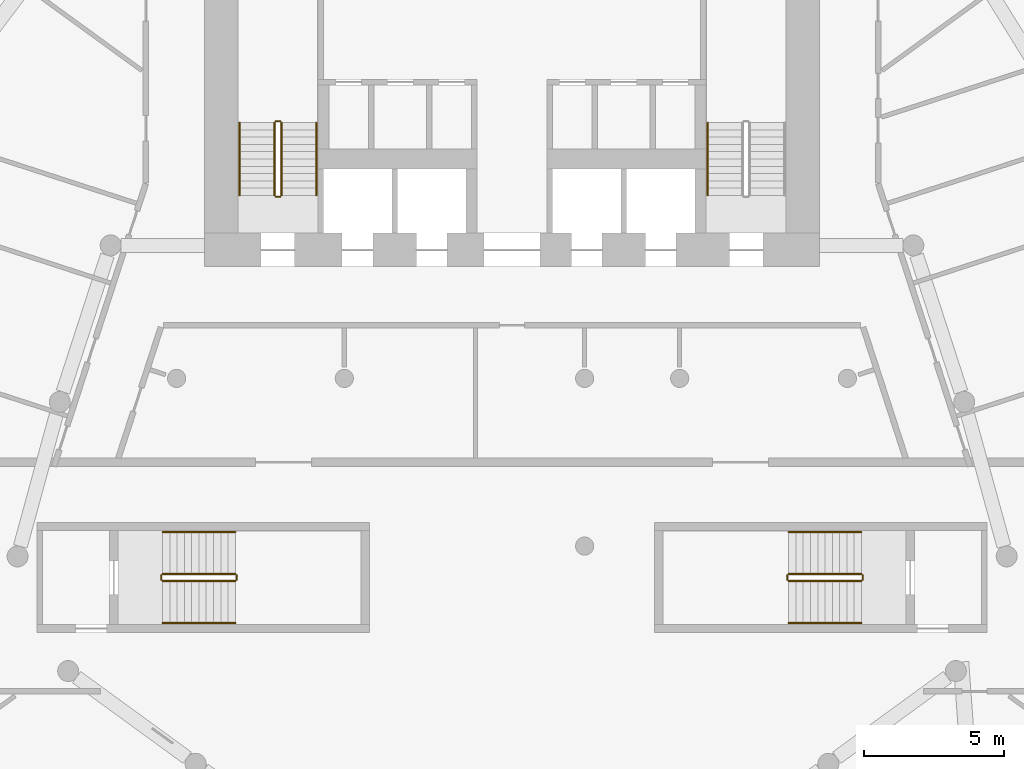
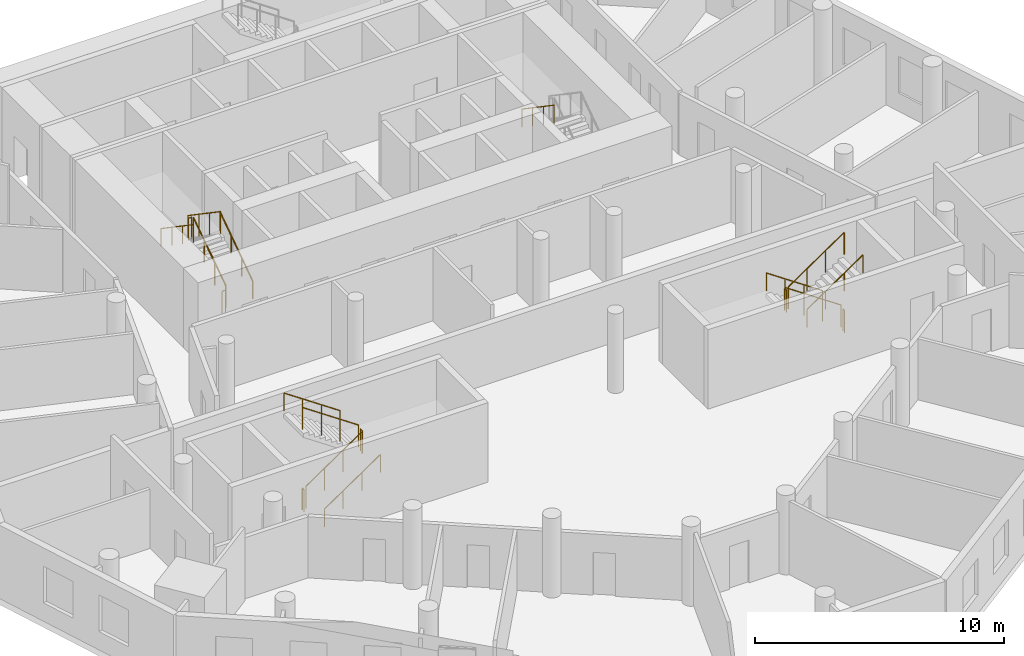
# One storey, part 8 of 9: 19 railings.
"""IFC4 building model written with IfcOpenShell, lengths in metres."""

from ifc_helpers import new_model, si_unit, direction, frame, origin, origin_2d, place, context, subcontext, project, spatial, circle, extrude, material, type_object, element, save


model = new_model("IFC4")

# Units and contexts
model_context = context("Model", 3, precision=1e-05, world=origin(), true_north=direction((0.0, 1.0)))
body_context = subcontext(model_context, "Body", "Model", "MODEL_VIEW")
ifc_project = project(units=[si_unit("LENGTHUNIT", "METRE"), si_unit("AREAUNIT", "SQUARE_METRE"), si_unit("VOLUMEUNIT", "CUBIC_METRE"), si_unit("PLANEANGLEUNIT", "RADIAN"), si_unit("MASSUNIT", "GRAM", prefix="KILO")], contexts=[model_context])

# Site, building, storey
site_placement = place(None, origin())
site = spatial("IfcSite", under=ifc_project, at=site_placement, CompositionType="ELEMENT")
building_placement = place(site_placement, origin())
building = spatial("IfcBuilding", under=site, at=building_placement, Name="White Candle Pilgrim Tower", CompositionType="ELEMENT")
storey_placement = place(building_placement, frame((0.0, 0.0, 62.39990234375)))
storey = spatial("IfcBuildingStorey", under=building, at=storey_placement, Name="L12", CompositionType="ELEMENT", Elevation=62.39990234375)

# Railings
ifc_material = material(Name="Stainless steel", Category="steel")
railing_type_1 = type_object("IfcRailingType", Name="Stair guard stainless steel 1100 mm", PredefinedType="GUARDRAIL", material=ifc_material)
railing_1_placement = place(storey_placement, frame((61.75, 73.550048828125, 0.177490234375)))
element("IfcRailing", 1, at=railing_1_placement, inside=storey, type_object=railing_type_1, Name="L12 ST1 stair guard 1", PredefinedType="GUARDRAIL", context=body_context, shape_type="SweptSolid", body=[
    extrude(circle(Radius=0.02392578125, at=origin_2d()), frame((0.0, 0.0, 1.076171875), z_axis=(0.0, 0.826215852431, 0.563353676824), x_axis=(-1.0, 0.0, 0.0)), (0.0, 0.0, 1.0), 3.146728515625),
    extrude(circle(Radius=0.02099609375, at=origin_2d()), origin(), (0.0, 0.0, 1.0), 1.052001953125),
    extrude(circle(Radius=0.02099609375, at=origin_2d()), frame((0.0, 0.86669921875, 0.5908203125)), (0.0, 0.0, 1.0), 1.052001953125),
    extrude(circle(Radius=0.02099609375, at=origin_2d()), frame((0.0, 1.733154296875, 1.181884765625)), (0.0, 0.0, 1.0), 1.052001953125),
    extrude(circle(Radius=0.02099609375, at=origin_2d()), frame((0.0, 2.599853515625, 1.772705078125)), (0.0, 0.0, 1.0), 1.052001953125),
])
railing_2_placement = place(storey_placement, frame((61.699951171875, 76.199951171875, 1.9501953125)))
element("IfcRailing", 2, at=railing_2_placement, inside=storey, type_object=railing_type_1, Name="L12 ST1 stair guard 2", PredefinedType="GUARDRAIL", context=body_context, shape_type="SweptSolid", body=[
    extrude(circle(Radius=0.02392578125, at=origin_2d()), frame((0.0, 0.0, 1.076171875), z_axis=(-1.0, 0.0, 0.0), x_axis=(0.0, -1.0, 0.0)), (0.0, 0.0, 1.0), 0.14990234375),
    extrude(circle(Radius=0.02099609375, at=origin_2d()), origin(), (0.0, 0.0, 1.0), 1.052001953125),
    extrude(circle(Radius=0.02099609375, at=origin_2d()), frame((-0.14990234375, 0.0, 0.0)), (0.0, 0.0, 1.0), 1.052001953125),
])
railing_3_placement = place(storey_placement, frame((61.5, 76.14990234375, 2.12744140625)))
element("IfcRailing", 3, at=railing_3_placement, inside=storey, type_object=railing_type_1, Name="L12 ST1 stair guard 3", PredefinedType="GUARDRAIL", context=body_context, shape_type="SweptSolid", body=[
    extrude(circle(Radius=0.02392578125, at=origin_2d()), frame((0.0, 0.0, 1.076171875), z_axis=(0.0, -0.826215852431, 0.563353676824), x_axis=(1.0, 0.0, 0.0)), (0.0, 0.0, 1.0), 3.146728515625),
    extrude(circle(Radius=0.02099609375, at=origin_2d()), origin(), (0.0, 0.0, 1.0), 1.052001953125),
    extrude(circle(Radius=0.02099609375, at=origin_2d()), frame((0.0, -0.86669921875, 0.5908203125)), (0.0, 0.0, 1.0), 1.052001953125),
    extrude(circle(Radius=0.02099609375, at=origin_2d()), frame((0.0, -1.733154296875, 1.181884765625)), (0.0, 0.0, 1.0), 1.052001953125),
    extrude(circle(Radius=0.02099609375, at=origin_2d()), frame((0.0, -2.599853515625, 1.772705078125)), (0.0, 0.0, 1.0), 1.052001953125),
])
railing_4_placement = place(storey_placement, frame((61.699951171875, 73.5, 0.0)))
element("IfcRailing", 4, at=railing_4_placement, inside=storey, type_object=railing_type_1, Name="L12 ST1 stair guard 4", PredefinedType="GUARDRAIL", context=body_context, shape_type="SweptSolid", body=[
    extrude(circle(Radius=0.02392578125, at=origin_2d()), frame((0.0, 0.0, 1.076171875), z_axis=(-1.0, 0.0, 0.0), x_axis=(0.0, -1.0, 0.0)), (0.0, 0.0, 1.0), 0.14990234375),
    extrude(circle(Radius=0.02099609375, at=origin_2d()), origin(), (0.0, 0.0, 1.0), 1.052001953125),
    extrude(circle(Radius=0.02099609375, at=origin_2d()), frame((-0.14990234375, 0.0, 0.0)), (0.0, 0.0, 1.0), 1.052001953125),
])
railing_5_placement = place(storey_placement, frame((82.5, 60.0, 0.177490234375)))
element("IfcRailing", 5, at=railing_5_placement, inside=storey, type_object=railing_type_1, Name="L12 ST4 stair guard 1", PredefinedType="GUARDRAIL", context=body_context, shape_type="SweptSolid", body=[
    extrude(circle(Radius=0.02392578125, at=origin_2d()), frame((0.0, 0.0, 1.076171875), z_axis=(-0.826240473404, 0.0, 0.563317565952), x_axis=(0.0, -1.0, 0.0)), (0.0, 0.0, 1.0), 3.14697265625),
    extrude(circle(Radius=0.02099609375, at=origin_2d()), origin(), (0.0, 0.0, 1.0), 1.052001953125),
    extrude(circle(Radius=0.02099609375, at=origin_2d()), frame((-0.86669921875, 0.0, 0.5908203125)), (0.0, 0.0, 1.0), 1.052001953125),
    extrude(circle(Radius=0.02099609375, at=origin_2d()), frame((-1.7333984375, 0.0, 1.181884765625)), (0.0, 0.0, 1.0), 1.052001953125),
    extrude(circle(Radius=0.02099609375, at=origin_2d()), frame((-2.60009765625, 0.0, 1.772705078125)), (0.0, 0.0, 1.0), 1.052001953125),
])
railing_6_placement = place(storey_placement, frame((79.85009765625, 59.949951171875, 1.9501953125)))
element("IfcRailing", 6, at=railing_6_placement, inside=storey, type_object=railing_type_1, Name="L12 ST4 stair guard 2", PredefinedType="GUARDRAIL", context=body_context, shape_type="SweptSolid", body=[
    extrude(circle(Radius=0.02392578125, at=origin_2d()), frame((0.0, 0.0, 1.076171875), z_axis=(0.0, -1.0, 0.0), x_axis=(1.0, 0.0, 0.0)), (0.0, 0.0, 1.0), 0.14990234375),
    extrude(circle(Radius=0.02099609375, at=origin_2d()), origin(), (0.0, 0.0, 1.0), 1.052001953125),
    extrude(circle(Radius=0.02099609375, at=origin_2d()), frame((0.0, -0.14990234375, 0.0)), (0.0, 0.0, 1.0), 1.052001953125),
])
railing_7_placement = place(storey_placement, frame((79.89990234375, 59.75, 2.12744140625)))
element("IfcRailing", 7, at=railing_7_placement, inside=storey, type_object=railing_type_1, Name="L12 ST4 stair guard 3", PredefinedType="GUARDRAIL", context=body_context, shape_type="SweptSolid", body=[
    extrude(circle(Radius=0.02392578125, at=origin_2d()), frame((0.0, 0.0, 1.076171875), z_axis=(0.826240473404, 0.0, 0.563317565952), x_axis=(0.0, 1.0, 0.0)), (0.0, 0.0, 1.0), 3.14697265625),
    extrude(circle(Radius=0.02099609375, at=origin_2d()), origin(), (0.0, 0.0, 1.0), 1.052001953125),
    extrude(circle(Radius=0.02099609375, at=origin_2d()), frame((0.86669921875, 0.0, 0.5908203125)), (0.0, 0.0, 1.0), 1.052001953125),
    extrude(circle(Radius=0.02099609375, at=origin_2d()), frame((1.7333984375, 0.0, 1.181884765625)), (0.0, 0.0, 1.0), 1.052001953125),
    extrude(circle(Radius=0.02099609375, at=origin_2d()), frame((2.60009765625, 0.0, 1.772705078125)), (0.0, 0.0, 1.0), 1.052001953125),
])
railing_8_placement = place(storey_placement, frame((82.550048828125, 59.949951171875, 0.0)))
element("IfcRailing", 8, at=railing_8_placement, inside=storey, type_object=railing_type_1, Name="L12 ST4 stair guard 4", PredefinedType="GUARDRAIL", context=body_context, shape_type="SweptSolid", body=[
    extrude(circle(Radius=0.02392578125, at=origin_2d()), frame((0.0, 0.0, 1.076171875), z_axis=(0.0, -1.0, 0.0), x_axis=(1.0, 0.0, 0.0)), (0.0, 0.0, 1.0), 0.14990234375),
    extrude(circle(Radius=0.02099609375, at=origin_2d()), origin(), (0.0, 0.0, 1.0), 1.052001953125),
    extrude(circle(Radius=0.02099609375, at=origin_2d()), frame((0.0, -0.14990234375, 0.0)), (0.0, 0.0, 1.0), 1.052001953125),
])
railing_9_placement = place(storey_placement, frame((57.5, 59.75, 0.177490234375)))
element("IfcRailing", 9, at=railing_9_placement, inside=storey, type_object=railing_type_1, Name="L12 ST5 stair guard 1", PredefinedType="GUARDRAIL", context=body_context, shape_type="SweptSolid", body=[
    extrude(circle(Radius=0.02392578125, at=origin_2d()), frame((0.0, 0.0, 1.076171875), z_axis=(0.826240473404, 0.0, 0.563317565952), x_axis=(0.0, 1.0, 0.0)), (0.0, 0.0, 1.0), 3.14697265625),
    extrude(circle(Radius=0.02099609375, at=origin_2d()), origin(), (0.0, 0.0, 1.0), 1.052001953125),
    extrude(circle(Radius=0.02099609375, at=origin_2d()), frame((0.86669921875, 0.0, 0.5908203125)), (0.0, 0.0, 1.0), 1.052001953125),
    extrude(circle(Radius=0.02099609375, at=origin_2d()), frame((1.7333984375, 0.0, 1.181884765625)), (0.0, 0.0, 1.0), 1.052001953125),
    extrude(circle(Radius=0.02099609375, at=origin_2d()), frame((2.60009765625, 0.0, 1.772705078125)), (0.0, 0.0, 1.0), 1.052001953125),
])
railing_10_placement = place(storey_placement, frame((60.14990234375, 59.800048828125, 1.9501953125)))
element("IfcRailing", 10, at=railing_10_placement, inside=storey, type_object=railing_type_1, Name="L12 ST5 stair guard 2", PredefinedType="GUARDRAIL", context=body_context, shape_type="SweptSolid", body=[
    extrude(circle(Radius=0.02392578125, at=origin_2d()), frame((0.0, 0.0, 1.076171875), z_axis=(0.0, 1.0, 0.0), x_axis=(-1.0, 0.0, 0.0)), (0.0, 0.0, 1.0), 0.14990234375),
    extrude(circle(Radius=0.02099609375, at=origin_2d()), origin(), (0.0, 0.0, 1.0), 1.052001953125),
    extrude(circle(Radius=0.02099609375, at=origin_2d()), frame((0.0, 0.14990234375, 0.0)), (0.0, 0.0, 1.0), 1.052001953125),
])
railing_11_placement = place(storey_placement, frame((60.10009765625, 60.0, 2.12744140625)))
element("IfcRailing", 11, at=railing_11_placement, inside=storey, type_object=railing_type_1, Name="L12 ST5 stair guard 3", PredefinedType="GUARDRAIL", context=body_context, shape_type="SweptSolid", body=[
    extrude(circle(Radius=0.02392578125, at=origin_2d()), frame((0.0, 0.0, 1.076171875), z_axis=(-0.826240473404, 0.0, 0.563317565952), x_axis=(0.0, -1.0, 0.0)), (0.0, 0.0, 1.0), 3.14697265625),
    extrude(circle(Radius=0.02099609375, at=origin_2d()), origin(), (0.0, 0.0, 1.0), 1.052001953125),
    extrude(circle(Radius=0.02099609375, at=origin_2d()), frame((-0.86669921875, 0.0, 0.5908203125)), (0.0, 0.0, 1.0), 1.052001953125),
    extrude(circle(Radius=0.02099609375, at=origin_2d()), frame((-1.7333984375, 0.0, 1.181884765625)), (0.0, 0.0, 1.0), 1.052001953125),
    extrude(circle(Radius=0.02099609375, at=origin_2d()), frame((-2.60009765625, 0.0, 1.772705078125)), (0.0, 0.0, 1.0), 1.052001953125),
])
railing_12_placement = place(storey_placement, frame((57.449951171875, 59.800048828125, 0.0)))
element("IfcRailing", 12, at=railing_12_placement, inside=storey, type_object=railing_type_1, Name="L12 ST5 stair guard 4", PredefinedType="GUARDRAIL", context=body_context, shape_type="SweptSolid", body=[
    extrude(circle(Radius=0.02392578125, at=origin_2d()), frame((0.0, 0.0, 1.076171875), z_axis=(0.0, 1.0, 0.0), x_axis=(-1.0, 0.0, 0.0)), (0.0, 0.0, 1.0), 0.14990234375),
    extrude(circle(Radius=0.02099609375, at=origin_2d()), origin(), (0.0, 0.0, 1.0), 1.052001953125),
    extrude(circle(Radius=0.02099609375, at=origin_2d()), frame((0.0, 0.14990234375, 0.0)), (0.0, 0.0, 1.0), 1.052001953125),
])
railing_type_2 = type_object("IfcRailingType", Name="Stair handrail stainless steel", PredefinedType="HANDRAIL", material=ifc_material)
railing_13_placement = place(storey_placement, frame((63.0, 73.550048828125, 0.177490234375)))
element("IfcRailing", 13, at=railing_13_placement, inside=storey, type_object=railing_type_2, Name="L12 ST1 stair handrail 1", PredefinedType="HANDRAIL", context=body_context, shape_type="SweptSolid", body=[
    extrude(circle(Radius=0.02392578125, at=origin_2d()), frame((0.0, 0.0, 0.8759765625), z_axis=(0.0, 0.826215852431, 0.563353676824), x_axis=(-1.0, 0.0, 0.0)), (0.0, 0.0, 1.0), 3.146728515625),
    extrude(circle(Radius=0.02099609375, at=origin_2d()), origin(), (0.0, 0.0, 1.0), 0.851806640625),
    extrude(circle(Radius=0.02099609375, at=origin_2d()), frame((0.0, 0.86669921875, 0.5908203125)), (0.0, 0.0, 1.0), 0.851806640625),
    extrude(circle(Radius=0.02099609375, at=origin_2d()), frame((0.0, 1.733154296875, 1.181884765625)), (0.0, 0.0, 1.0), 0.851806640625),
    extrude(circle(Radius=0.02099609375, at=origin_2d()), frame((0.0, 2.599853515625, 1.772705078125)), (0.0, 0.0, 1.0), 0.851806640625),
])
for number, where, name in (
    (14, (60.25, 76.14990234375, 2.12744140625), "L12 ST1 stair handrail 2"),
    (15, (77.0, 76.14990234375, 2.12744140625), "L12 ST2 stair handrail 2"),
):
    element("IfcRailing", number, at=place(storey_placement, frame(where)), inside=storey, type_object=railing_type_2, Name=name, PredefinedType="HANDRAIL", context=body_context, shape_type="SweptSolid", body=[
        extrude(circle(Radius=0.02392578125, at=origin_2d()), frame((0.0, 0.0, 0.8759765625), z_axis=(0.0, -0.826215852431, 0.563353676824), x_axis=(1.0, 0.0, 0.0)), (0.0, 0.0, 1.0), 3.146728515625),
        extrude(circle(Radius=0.02099609375, at=origin_2d()), origin(), (0.0, 0.0, 1.0), 0.851806640625),
        extrude(circle(Radius=0.02099609375, at=origin_2d()), frame((0.0, -0.86669921875, 0.5908203125)), (0.0, 0.0, 1.0), 0.851806640625),
        extrude(circle(Radius=0.02099609375, at=origin_2d()), frame((0.0, -1.733154296875, 1.181884765625)), (0.0, 0.0, 1.0), 0.851806640625),
        extrude(circle(Radius=0.02099609375, at=origin_2d()), frame((0.0, -2.599853515625, 1.772705078125)), (0.0, 0.0, 1.0), 0.851806640625),
    ])
railing_14_placement = place(storey_placement, frame((82.5, 61.5, 0.177490234375)))
element("IfcRailing", 16, at=railing_14_placement, inside=storey, type_object=railing_type_2, Name="L12 ST4 stair handrail 1", PredefinedType="HANDRAIL", context=body_context, shape_type="SweptSolid", body=[
    extrude(circle(Radius=0.02392578125, at=origin_2d()), frame((0.0, 0.0, 0.8759765625), z_axis=(-0.826240473404, 0.0, 0.563317565952), x_axis=(0.0, -1.0, 0.0)), (0.0, 0.0, 1.0), 3.14697265625),
    extrude(circle(Radius=0.02099609375, at=origin_2d()), origin(), (0.0, 0.0, 1.0), 0.851806640625),
    extrude(circle(Radius=0.02099609375, at=origin_2d()), frame((-0.86669921875, 0.0, 0.5908203125)), (0.0, 0.0, 1.0), 0.851806640625),
    extrude(circle(Radius=0.02099609375, at=origin_2d()), frame((-1.7333984375, 0.0, 1.181884765625)), (0.0, 0.0, 1.0), 0.851806640625),
    extrude(circle(Radius=0.02099609375, at=origin_2d()), frame((-2.60009765625, 0.0, 1.772705078125)), (0.0, 0.0, 1.0), 0.851806640625),
])
for number, where, name in (
    (17, (79.89990234375, 58.25, 2.12744140625), "L12 ST4 stair handrail 2"),
    (18, (57.5, 58.25, 0.177490234375), "L12 ST5 stair handrail 1"),
):
    element("IfcRailing", number, at=place(storey_placement, frame(where)), inside=storey, type_object=railing_type_2, Name=name, PredefinedType="HANDRAIL", context=body_context, shape_type="SweptSolid", body=[
        extrude(circle(Radius=0.02392578125, at=origin_2d()), frame((0.0, 0.0, 0.8759765625), z_axis=(0.826240473404, 0.0, 0.563317565952), x_axis=(0.0, 1.0, 0.0)), (0.0, 0.0, 1.0), 3.14697265625),
        extrude(circle(Radius=0.02099609375, at=origin_2d()), origin(), (0.0, 0.0, 1.0), 0.851806640625),
        extrude(circle(Radius=0.02099609375, at=origin_2d()), frame((0.86669921875, 0.0, 0.5908203125)), (0.0, 0.0, 1.0), 0.851806640625),
        extrude(circle(Radius=0.02099609375, at=origin_2d()), frame((1.7333984375, 0.0, 1.181884765625)), (0.0, 0.0, 1.0), 0.851806640625),
        extrude(circle(Radius=0.02099609375, at=origin_2d()), frame((2.60009765625, 0.0, 1.772705078125)), (0.0, 0.0, 1.0), 0.851806640625),
    ])
railing_15_placement = place(storey_placement, frame((60.10009765625, 61.5, 2.12744140625)))
element("IfcRailing", 19, at=railing_15_placement, inside=storey, type_object=railing_type_2, Name="L12 ST5 stair handrail 2", PredefinedType="HANDRAIL", context=body_context, shape_type="SweptSolid", body=[
    extrude(circle(Radius=0.02392578125, at=origin_2d()), frame((0.0, 0.0, 0.8759765625), z_axis=(-0.826240473404, 0.0, 0.563317565952), x_axis=(0.0, -1.0, 0.0)), (0.0, 0.0, 1.0), 3.14697265625),
    extrude(circle(Radius=0.02099609375, at=origin_2d()), origin(), (0.0, 0.0, 1.0), 0.851806640625),
    extrude(circle(Radius=0.02099609375, at=origin_2d()), frame((-0.86669921875, 0.0, 0.5908203125)), (0.0, 0.0, 1.0), 0.851806640625),
    extrude(circle(Radius=0.02099609375, at=origin_2d()), frame((-1.7333984375, 0.0, 1.181884765625)), (0.0, 0.0, 1.0), 0.851806640625),
    extrude(circle(Radius=0.02099609375, at=origin_2d()), frame((-2.60009765625, 0.0, 1.772705078125)), (0.0, 0.0, 1.0), 0.851806640625),
])

save(model, "model.ifc")
